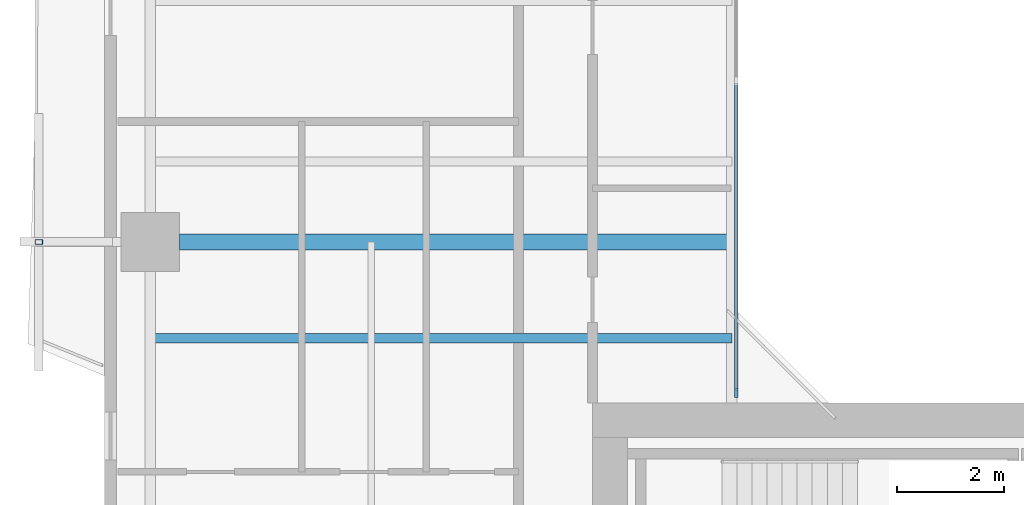
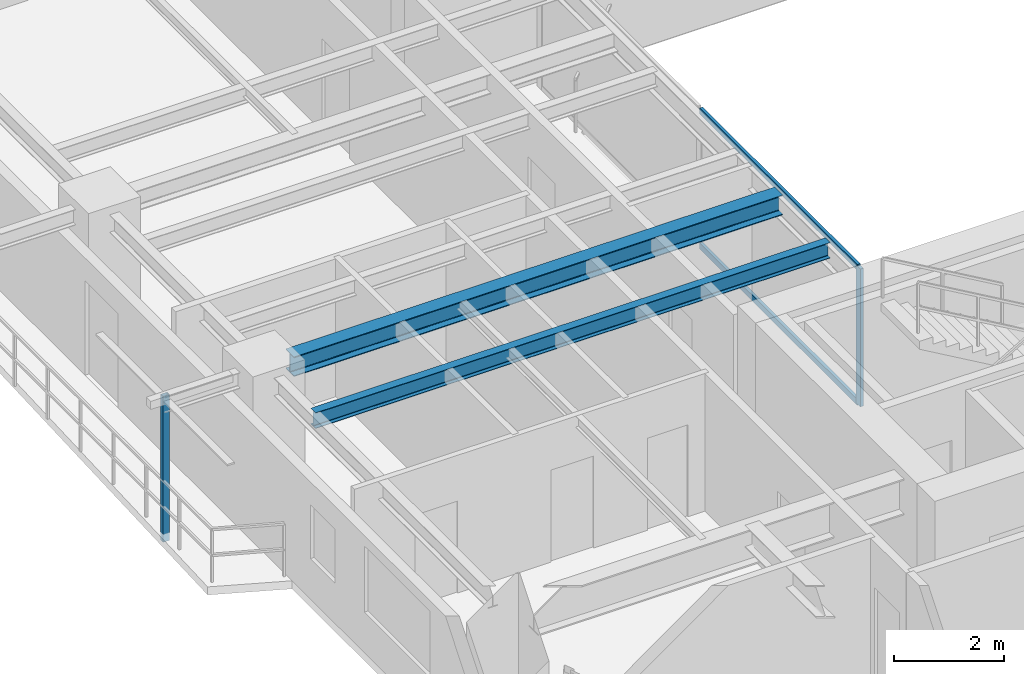
# One storey, part 3 of 23: 4 members, 2 beams, 1 element without a shape of its own.
"""IFC4 building model written with IfcOpenShell, lengths in metres."""

from ifc_helpers import new_model, si_unit, direction, frame, origin, origin_2d, place, context, subcontext, project, spatial, rectangle, hollow_rectangle, i_section, extrude, source, transform, mapped, material, layer, layer_set, material_profile, profile_set, type_object, element, aggregate, save


model = new_model("IFC4")

# Units and contexts
model_context = context("Model", 3, precision=1e-05, world=origin(), true_north=direction((0.0, 1.0)))
body_context = subcontext(model_context, "Body", "Model", "MODEL_VIEW")
ifc_project = project(units=[si_unit("LENGTHUNIT", "METRE"), si_unit("AREAUNIT", "SQUARE_METRE"), si_unit("VOLUMEUNIT", "CUBIC_METRE"), si_unit("PLANEANGLEUNIT", "RADIAN"), si_unit("MASSUNIT", "GRAM", prefix="KILO"), si_unit("THERMODYNAMICTEMPERATUREUNIT", "KELVIN"), si_unit("POWERUNIT", "WATT")], contexts=[model_context])

# Site, building, storey
site_placement = place(None, origin())
site = spatial("IfcSite", under=ifc_project, at=site_placement, CompositionType="ELEMENT")
building_placement = place(site_placement, origin())
building = spatial("IfcBuilding", under=site, at=building_placement, Name="Qiaomeng Ring Towers", CompositionType="ELEMENT")
storey_placement = place(building_placement, frame((0.0, 0.0, 97.0)))
storey = spatial("IfcBuildingStorey", under=building, at=storey_placement, Name="L27", CompositionType="ELEMENT", Elevation=97.0)

# Beams
ifc_material_1 = material(Name="Steel Q355B", Category="steel")
ifc_material_profile_1 = material_profile(ifc_material_1, i_section(OverallWidth=0.300048828125, OverallDepth=0.43994140625, WebThickness=0.010986328125, FlangeThickness=0.01806640625, FilletRadius=0.02392578125, at=origin_2d()), Name="HM 440x300x11x18")
ifc_profile_set_1 = profile_set([ifc_material_profile_1], Name="Steel Q355B")
beam_type_1 = type_object("IfcBeamType", Name="STR-BM-HM440", PredefinedType="BEAM", material=ifc_profile_set_1)
shared_shape_1 = source(origin(), body_context, "Body", "SweptSolid", [
    extrude(i_section(OverallWidth=0.300048828125, OverallDepth=0.43994140625, WebThickness=0.010986328125, FlangeThickness=0.01806640625, FilletRadius=0.02392578125, at=origin_2d()), origin(), (0.0, 0.0, 1.0), 10.301025390625),
])
beam_1_placement = place(storey_placement, frame((2.4990234375, 20.0, 2.85009765625), z_axis=(1.0, 0.0, 0.0), x_axis=(0.0, 1.0, 0.0)))
element("IfcBeam", 1, at=beam_1_placement, inside=storey, type_object=beam_type_1, Name="L27 beam STR-BM-L27-T1-RAD-W2", PredefinedType="BEAM", context=body_context, shape_type="MappedRepresentation", body=[
    mapped(shared_shape_1, transform((0.0, 0.0, 0.0), x_axis=(1.0, 0.0, 0.0), y_axis=(0.0, 1.0, 0.0), z_axis=(0.0, 0.0, 1.0), scale=1.0)),
])
ifc_material_profile_2 = material_profile(ifc_material_1, i_section(OverallWidth=0.175048828125, OverallDepth=0.35009765625, WebThickness=0.007080078125, FlangeThickness=0.010986328125, FilletRadius=0.013916015625, at=origin_2d()), Name="HN 350x175x7x11")
ifc_profile_set_2 = profile_set([ifc_material_profile_2], Name="Steel Q355B")
beam_type_2 = type_object("IfcBeamType", Name="STR-BM-HN350", PredefinedType="JOIST", material=ifc_profile_set_2)
shared_shape_2 = source(origin(), body_context, "Body", "SweptSolid", [
    extrude(i_section(OverallWidth=0.175048828125, OverallDepth=0.35009765625, WebThickness=0.007080078125, FlangeThickness=0.010986328125, FilletRadius=0.013916015625, at=origin_2d()), origin(), (0.0, 0.0, 1.0), 10.85009765625),
])
beam_2_placement = place(storey_placement, frame((1.949951171875, 18.199951171875, 2.89501953125), z_axis=(1.0, 0.0, 0.0), x_axis=(0.0, 1.0, 0.0)))
element("IfcBeam", 2, at=beam_2_placement, inside=storey, type_object=beam_type_2, Name="L27 beam STR-JST-L27-T1W-1", PredefinedType="JOIST", context=body_context, shape_type="MappedRepresentation", body=[
    mapped(shared_shape_2, transform((0.0, 0.0, 0.0), x_axis=(1.0, 0.0, 0.0), y_axis=(0.0, 1.0, 0.0), z_axis=(0.0, 0.0, 1.0), scale=1.0)),
])

# Curtain wall, members
ifc_material_2 = material(Name="Fluorocarbon dark-grey aluminium", Category="aluminium")
ifc_layer = layer(ifc_material_2, 0.139892578125, Name="Fluorocarbon dark-grey aluminium")
ifc_layer_set = layer_set([ifc_layer], Name="Fluorocarbon dark-grey aluminium")
curtain_wall_type = type_object("IfcCurtainWallType", Name="ARC-CW-4", PredefinedType="NOTDEFINED", material=ifc_layer_set)
curtain_wall_placement = place(storey_placement, origin())
curtain_wall = element("IfcCurtainWall", 3, at=curtain_wall_placement, inside=storey, type_object=curtain_wall_type, Name="L27 Curtain Wall CW4", PredefinedType="NOTDEFINED")
ifc_material_profile_3 = material_profile(ifc_material_2, rectangle(XDim=0.06494140625, YDim=0.159912109375, at=origin_2d()), Name="ALU MULL 65x160")
ifc_profile_set_3 = profile_set([ifc_material_profile_3], Name="Fluorocarbon dark-grey aluminium")
member_type_1 = type_object("IfcMemberType", Name="ARC-CWM-140", PredefinedType="MULLION", material=ifc_profile_set_3)
shared_shape_3 = source(origin(), body_context, "Body", "SweptSolid", [
    extrude(rectangle(XDim=0.06494140625, YDim=0.159912109375, at=origin_2d()), origin(), (0.0, 0.0, 1.0), 3.070068359375),
])
member_1_placement = place(storey_placement, frame((12.8798828125, 17.1826171875, 0.0), z_axis=(0.0, 0.0, 1.0), x_axis=(-1.0, 0.0, 0.0)))
member_1 = element("IfcMember", 4, at=member_1_placement, type_object=member_type_1, Name="CW4 mullion 1", PredefinedType="MULLION", context=body_context, shape_type="MappedRepresentation", body=[
    mapped(shared_shape_3, transform((0.0, 0.0, 0.0), x_axis=(1.0, 0.0, 0.0), y_axis=(0.0, 1.0, 0.0), z_axis=(0.0, 0.0, 1.0), scale=1.0)),
])
ifc_material_profile_4 = material_profile(ifc_material_2, rectangle(XDim=0.06494140625, YDim=0.1298828125, at=origin_2d()), Name="ALU TRAN 65x130")
ifc_profile_set_4 = profile_set([ifc_material_profile_4], Name="Fluorocarbon dark-grey aluminium")
member_type_2 = type_object("IfcMemberType", Name="ARC-CWT-120", PredefinedType="USERDEFINED", material=ifc_profile_set_4)
shared_shape_4 = source(origin(), body_context, "Body", "SweptSolid", [
    extrude(rectangle(XDim=0.06494140625, YDim=0.1298828125, at=origin_2d()), origin(), (0.0, 0.0, 1.0), 5.75244140625),
])
member_2_placement = place(storey_placement, frame((12.8798828125, 17.215087890625, 0.032470703125), z_axis=(0.0, 1.0, 0.0), x_axis=(-1.0, 0.0, 0.0)))
member_2 = element("IfcMember", 5, at=member_2_placement, type_object=member_type_2, Name="CW4 transom 1.1", ObjectType="TRANSOM", PredefinedType="USERDEFINED", context=body_context, shape_type="MappedRepresentation", body=[
    mapped(shared_shape_4, transform((0.0, 0.0, 0.0), x_axis=(1.0, 0.0, 0.0), y_axis=(0.0, 1.0, 0.0), z_axis=(0.0, 0.0, 1.0), scale=1.0)),
])
member_3_placement = place(storey_placement, frame((12.8798828125, 17.215087890625, 3.03759765625), z_axis=(0.0, 1.0, 0.0), x_axis=(-1.0, 0.0, 0.0)))
member_3 = element("IfcMember", 6, at=member_3_placement, type_object=member_type_2, Name="CW4 transom 1.2", ObjectType="TRANSOM", PredefinedType="USERDEFINED", context=body_context, shape_type="MappedRepresentation", body=[
    mapped(shared_shape_4, transform((0.0, 0.0, 0.0), x_axis=(1.0, 0.0, 0.0), y_axis=(0.0, 1.0, 0.0), z_axis=(0.0, 0.0, 1.0), scale=1.0)),
])
aggregate(curtain_wall, [member_1, member_2, member_3])

# Member
ifc_material_3 = material(Name="Stainless steel 316", Category="steel")
ifc_material_profile_5 = material_profile(ifc_material_3, hollow_rectangle(XDim=0.090087890625, YDim=0.139892578125, WallThickness=0.0048828125, at=origin_2d()), Name="SS TRELLIS 90x140")
ifc_profile_set_5 = profile_set([ifc_material_profile_5], Name="Stainless steel 316")
member_type_3 = type_object("IfcMemberType", Name="ARC-TR-POST1", PredefinedType="STUD", material=ifc_profile_set_5)
shared_shape_5 = source(origin(), body_context, "Body", "SweptSolid", [
    extrude(hollow_rectangle(XDim=0.090087890625, YDim=0.139892578125, WallThickness=0.0048828125, at=origin_2d()), origin(), (0.0, 0.0, 1.0), 3.25),
])
member_4_placement = place(storey_placement, frame((-0.1298828125, 20.0, -0.179931640625), z_axis=(0.0, 0.0, 1.0), x_axis=(0.0, 1.0, 0.0)))
element("IfcMember", 7, at=member_4_placement, inside=storey, type_object=member_type_3, Name="L27 Outer Ventilated Trellis Post W", PredefinedType="STUD", context=body_context, shape_type="MappedRepresentation", body=[
    mapped(shared_shape_5, transform((0.0, 0.0, 0.0), x_axis=(1.0, 0.0, 0.0), y_axis=(0.0, 1.0, 0.0), z_axis=(0.0, 0.0, 1.0), scale=1.0)),
])

save(model, "model.ifc")
